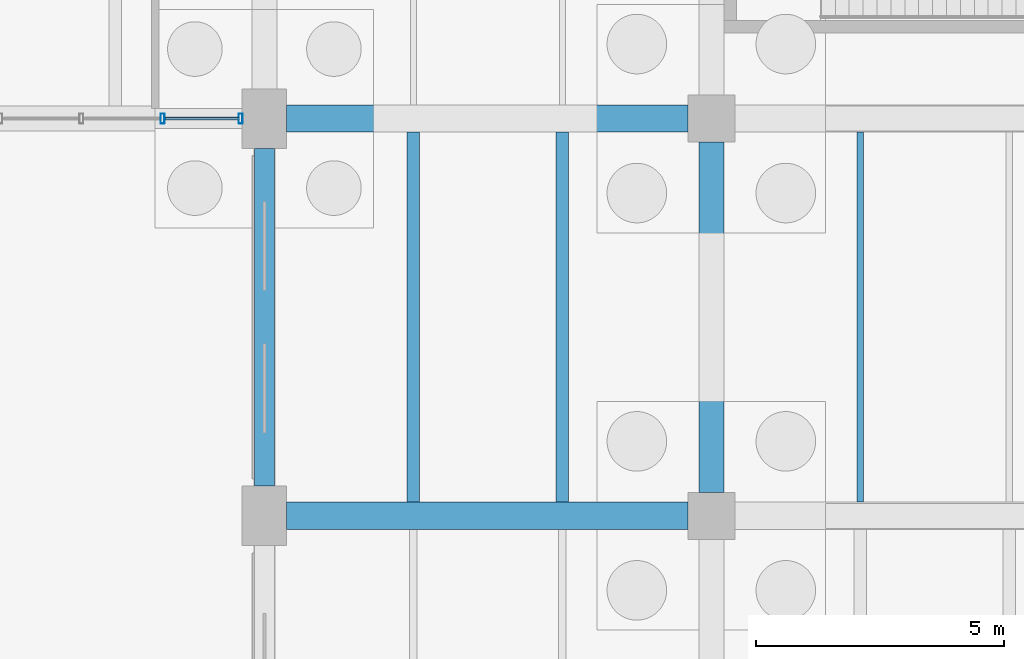
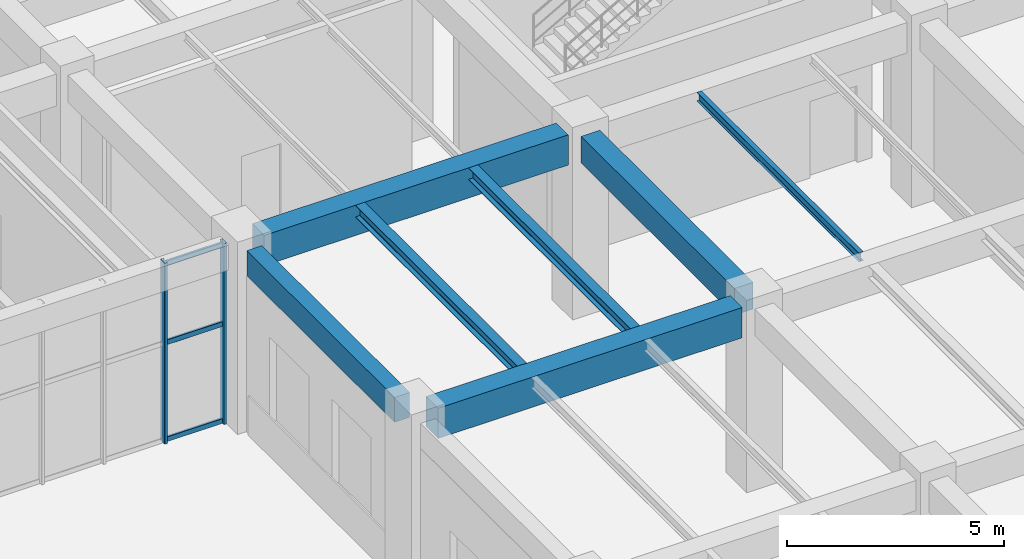
# One storey, part 72 of 121: 7 beams, 5 members, 1 element without a shape of its own.
"""IFC4 building model written with IfcOpenShell, lengths in metres."""

from ifc_helpers import new_model, si_unit, derived_unit, direction, frame, origin, origin_2d, place, context, subcontext, project, spatial, rectangle, hollow_rectangle, i_section, extrude, material, material_profile, profile_set, type_object, element, aggregate, save


model = new_model("IFC4")

# Units and contexts
model_context = context("Model", 3, precision=1e-05, world=origin(), true_north=direction((0.0, 1.0)))
body_context = subcontext(model_context, "Body", "Model", "MODEL_VIEW")
ifc_project = project(units=[si_unit("LENGTHUNIT", "METRE"), si_unit("AREAUNIT", "SQUARE_METRE"), si_unit("VOLUMEUNIT", "CUBIC_METRE"), si_unit("PLANEANGLEUNIT", "RADIAN"), si_unit("MASSUNIT", "GRAM", prefix="KILO"), derived_unit("THERMALTRANSMITTANCEUNIT", [(si_unit("MASSUNIT", "GRAM", prefix="KILO"), 1), (si_unit("TIMEUNIT", "SECOND"), -3), (si_unit("THERMODYNAMICTEMPERATUREUNIT", "KELVIN"), -1)])], contexts=[model_context])

# Site, building, storey
site_placement = place(None, origin())
site = spatial("IfcSite", under=ifc_project, at=site_placement, CompositionType="ELEMENT")
building_placement = place(site_placement, origin())
building = spatial("IfcBuilding", under=site, at=building_placement, Name="Zhenchuan Archway Interchange", CompositionType="ELEMENT")
storey_placement = place(building_placement, origin())
storey = spatial("IfcBuildingStorey", under=building, at=storey_placement, Name="L00", CompositionType="ELEMENT", Elevation=0.0)

# Beams
ifc_material_1 = material(Name="Concrete C40", Category="concrete")
ifc_material_profile_1 = material_profile(ifc_material_1, rectangle(XDim=0.5, YDim=0.75, at=origin_2d()), Name="RC 500x750")
ifc_profile_set_1 = profile_set([ifc_material_profile_1], Name="Concrete C40")
beam_type_1 = type_object("IfcBeamType", Name="BM_RC_500x750", PredefinedType="BEAM", material=ifc_profile_set_1)
beam_1_placement = place(storey_placement, frame((153.0, 80.47509765625, 4.705078125), z_axis=(0.0, 1.0, 0.0), x_axis=(-1.0, 0.0, 0.0)))
element("IfcBeam", 1, at=beam_1_placement, inside=storey, type_object=beam_type_1, Name="Beam 18:L-M (L00)", PredefinedType="BEAM", context=body_context, shape_type="SweptSolid", body=[
    extrude(rectangle(XDim=0.5, YDim=0.75, at=origin_2d()), origin(), (0.0, 0.0, 1.0), 7.0498046875),
])
ifc_material_profile_2 = material_profile(ifc_material_1, rectangle(XDim=0.550048828125, YDim=0.85009765625, at=origin_2d()), Name="RC 550x850")
ifc_profile_set_2 = profile_set([ifc_material_profile_2], Name="Concrete C40")
beam_type_2 = type_object("IfcBeamType", Name="BM_RC_550x850", PredefinedType="BEAM", material=ifc_profile_set_2)
for number, where, z_axis, x_axis, name in (
    (2, (144.449951171875, 80.0, 4.655029296875), (1.0, 0.0, 0.0), (0.0, 1.0, 0.0), "Beam L:17-18 (L00)"),
    (3, (144.449951171875, 88.0, 4.655029296875), (1.0, 0.0, 0.0), (0.0, 1.0, 0.0), "Beam M:17-18 (L00)"),
):
    element("IfcBeam", number, at=place(storey_placement, frame(where, z_axis=z_axis, x_axis=x_axis)), inside=storey, type_object=beam_type_2, Name=name, PredefinedType="BEAM", context=body_context, shape_type="SweptSolid", body=[
        extrude(rectangle(XDim=0.550048828125, YDim=0.85009765625, at=origin_2d()), origin(), (0.0, 0.0, 1.0), 8.074951171875),
    ])

# Curtain wall, members
ifc_material_2 = material(Name="Anodised Aluminium", Category="aluminium")
curtain_wall_type = type_object("IfcCurtainWallType", Name="CW_UNIT_4", PredefinedType="NOTDEFINED", material=ifc_material_2)
curtain_wall_placement = place(storey_placement, origin())
curtain_wall = element("IfcCurtainWall", 4, at=curtain_wall_placement, inside=storey, type_object=curtain_wall_type, Name="Unitised curtain wall CW:L00:023", PredefinedType="NOTDEFINED")
ifc_material_profile_3 = material_profile(ifc_material_2, hollow_rectangle(XDim=0.080078125, YDim=0.199951171875, WallThickness=0.00439453125, InnerFilletRadius=0.00439453125, OuterFilletRadius=0.009033203125, at=origin_2d()), Name="ALU 200x80x4.5")
ifc_profile_set_3 = profile_set([ifc_material_profile_3], Name="Anodised Aluminium")
member_type_1 = type_object("IfcMemberType", Name="CW_MUL_200", PredefinedType="MULLION", material=ifc_profile_set_3)
member_1_placement = place(storey_placement, frame((143.52197265625, 88.0, 0.0), z_axis=(0.0, 0.0, 1.0), x_axis=(1.0, 0.0, 0.0)))
member_1 = element("IfcMember", 5, at=member_1_placement, type_object=member_type_1, Name="CW:L00:023 mullion 0", PredefinedType="MULLION", context=body_context, shape_type="SweptSolid", body=[
    extrude(hollow_rectangle(XDim=0.080078125, YDim=0.199951171875, WallThickness=0.00439453125, InnerFilletRadius=0.00439453125, OuterFilletRadius=0.009033203125, at=origin_2d()), origin(), (0.0, 0.0, 1.0), 5.080078125),
])
member_2_placement = place(storey_placement, frame((141.94921875, 88.0, 0.0), z_axis=(0.0, 0.0, 1.0), x_axis=(1.0, 0.0, 0.0)))
member_2 = element("IfcMember", 6, at=member_2_placement, type_object=member_type_1, Name="CW:L00:023 mullion 1", PredefinedType="MULLION", context=body_context, shape_type="SweptSolid", body=[
    extrude(hollow_rectangle(XDim=0.080078125, YDim=0.199951171875, WallThickness=0.00439453125, InnerFilletRadius=0.00439453125, OuterFilletRadius=0.009033203125, at=origin_2d()), origin(), (0.0, 0.0, 1.0), 5.080078125),
])
ifc_material_profile_4 = material_profile(ifc_material_2, hollow_rectangle(XDim=0.06005859375, YDim=0.139892578125, WallThickness=0.00341796875, InnerFilletRadius=0.00341796875, OuterFilletRadius=0.007080078125, at=origin_2d()), Name="ALU 140x60x3.5")
ifc_profile_set_4 = profile_set([ifc_material_profile_4], Name="Anodised Aluminium")
member_type_2 = type_object("IfcMemberType", Name="CW_TRN_140", PredefinedType="USERDEFINED", material=ifc_profile_set_4)
member_3_placement = place(storey_placement, frame((143.501953125, 88.0, 0.06005859375), z_axis=(-1.0, 0.0, 0.0), x_axis=(0.0, -1.0, 0.0)))
member_3 = element("IfcMember", 7, at=member_3_placement, type_object=member_type_2, Name="CW:L00:023 transom 0-1", ObjectType="TRANSOM", PredefinedType="USERDEFINED", context=body_context, shape_type="SweptSolid", body=[
    extrude(hollow_rectangle(XDim=0.06005859375, YDim=0.139892578125, WallThickness=0.00341796875, InnerFilletRadius=0.00341796875, OuterFilletRadius=0.007080078125, at=origin_2d()), origin(), (0.0, 0.0, 1.0), 1.49267578125),
])
member_4_placement = place(storey_placement, frame((143.501953125, 88.0, 2.782958984375), z_axis=(-1.0, 0.0, 0.0), x_axis=(0.0, -1.0, 0.0)))
member_4 = element("IfcMember", 8, at=member_4_placement, type_object=member_type_2, Name="CW:L00:023 transom 0-2", ObjectType="TRANSOM", PredefinedType="USERDEFINED", context=body_context, shape_type="SweptSolid", body=[
    extrude(hollow_rectangle(XDim=0.06005859375, YDim=0.139892578125, WallThickness=0.00341796875, InnerFilletRadius=0.00341796875, OuterFilletRadius=0.007080078125, at=origin_2d()), origin(), (0.0, 0.0, 1.0), 1.49267578125),
])
member_5_placement = place(storey_placement, frame((143.501953125, 88.0, 5.0), z_axis=(-1.0, 0.0, 0.0), x_axis=(0.0, -1.0, 0.0)))
member_5 = element("IfcMember", 9, at=member_5_placement, type_object=member_type_2, Name="CW:L00:023 transom 0-3", ObjectType="TRANSOM", PredefinedType="USERDEFINED", context=body_context, shape_type="SweptSolid", body=[
    extrude(hollow_rectangle(XDim=0.06005859375, YDim=0.139892578125, WallThickness=0.00341796875, InnerFilletRadius=0.00341796875, OuterFilletRadius=0.007080078125, at=origin_2d()), origin(), (0.0, 0.0, 1.0), 1.49267578125),
])
aggregate(curtain_wall, [member_1, member_2, member_3, member_4, member_5])

# Beams
ifc_material_3 = material(Name="Steel Q355", Category="steel")
ifc_material_profile_5 = material_profile(ifc_material_3, i_section(OverallWidth=0.25, OverallDepth=0.340087890625, WebThickness=0.009033203125, FlangeThickness=0.013916015625, FilletRadius=0.01806640625, at=origin_2d()), Name="HM 340x250")
ifc_profile_set_5 = profile_set([ifc_material_profile_5], Name="Steel Q355")
beam_type_3 = type_object("IfcBeamType", Name="JST_STL_HM340", PredefinedType="JOIST", material=ifc_profile_set_5)
for number, where, z_axis, x_axis, name in (
    (10, (147.0, 80.27490234375, 4.909912109375), (0.0, 1.0, 0.0), (-1.0, 0.0, 0.0), "Secondary joist 17-18/L-M #1 (L00)"),
    (11, (150.0, 80.27490234375, 4.909912109375), (0.0, 1.0, 0.0), (-1.0, 0.0, 0.0), "Secondary joist 17-18/L-M #2 (L00)"),
):
    element("IfcBeam", number, at=place(storey_placement, frame(where, z_axis=z_axis, x_axis=x_axis)), inside=storey, type_object=beam_type_3, Name=name, PredefinedType="JOIST", context=body_context, shape_type="SweptSolid", body=[
        extrude(i_section(OverallWidth=0.25, OverallDepth=0.340087890625, WebThickness=0.009033203125, FlangeThickness=0.013916015625, FilletRadius=0.01806640625, at=origin_2d()), origin(), (0.0, 0.0, 1.0), 7.4501953125),
    ])
ifc_material_profile_6 = material_profile(ifc_material_3, i_section(OverallWidth=0.125, OverallDepth=0.25, WebThickness=0.006103515625, FlangeThickness=0.009033203125, FilletRadius=0.011962890625, at=origin_2d()), Name="HN 250x125")
ifc_profile_set_6 = profile_set([ifc_material_profile_6], Name="Steel Q355")
beam_type_4 = type_object("IfcBeamType", Name="JST_STL_HN250", PredefinedType="JOIST", material=ifc_profile_set_6)
beam_2_placement = place(storey_placement, frame((156.0, 80.27490234375, 4.955078125), z_axis=(0.0, 1.0, 0.0), x_axis=(-1.0, 0.0, 0.0)))
element("IfcBeam", 12, at=beam_2_placement, inside=storey, type_object=beam_type_4, Name="Secondary joist 18-19/L-M #1 (L00)", PredefinedType="JOIST", context=body_context, shape_type="SweptSolid", body=[
    extrude(i_section(OverallWidth=0.125, OverallDepth=0.25, WebThickness=0.006103515625, FlangeThickness=0.009033203125, FilletRadius=0.011962890625, at=origin_2d()), origin(), (0.0, 0.0, 1.0), 7.4501953125),
])
ifc_material_profile_7 = material_profile(ifc_material_1, rectangle(XDim=0.39990234375, YDim=0.699951171875, at=origin_2d()), Name="RC 400x700")
ifc_profile_set_7 = profile_set([ifc_material_profile_7], Name="Concrete C40")
beam_type_5 = type_object("IfcBeamType", Name="SP_RC_400x700", PredefinedType="SPANDREL", material=ifc_profile_set_7)
beam_3_placement = place(storey_placement, frame((144.0, 80.60009765625, 4.72998046875), z_axis=(0.0, 1.0, 0.0), x_axis=(-1.0, 0.0, 0.0)))
element("IfcBeam", 13, at=beam_3_placement, inside=storey, type_object=beam_type_5, Name="Beam 17:L-M (L00)", PredefinedType="SPANDREL", context=body_context, shape_type="SweptSolid", body=[
    extrude(rectangle(XDim=0.39990234375, YDim=0.699951171875, at=origin_2d()), origin(), (0.0, 0.0, 1.0), 6.7998046875),
])

save(model, "model.ifc")
